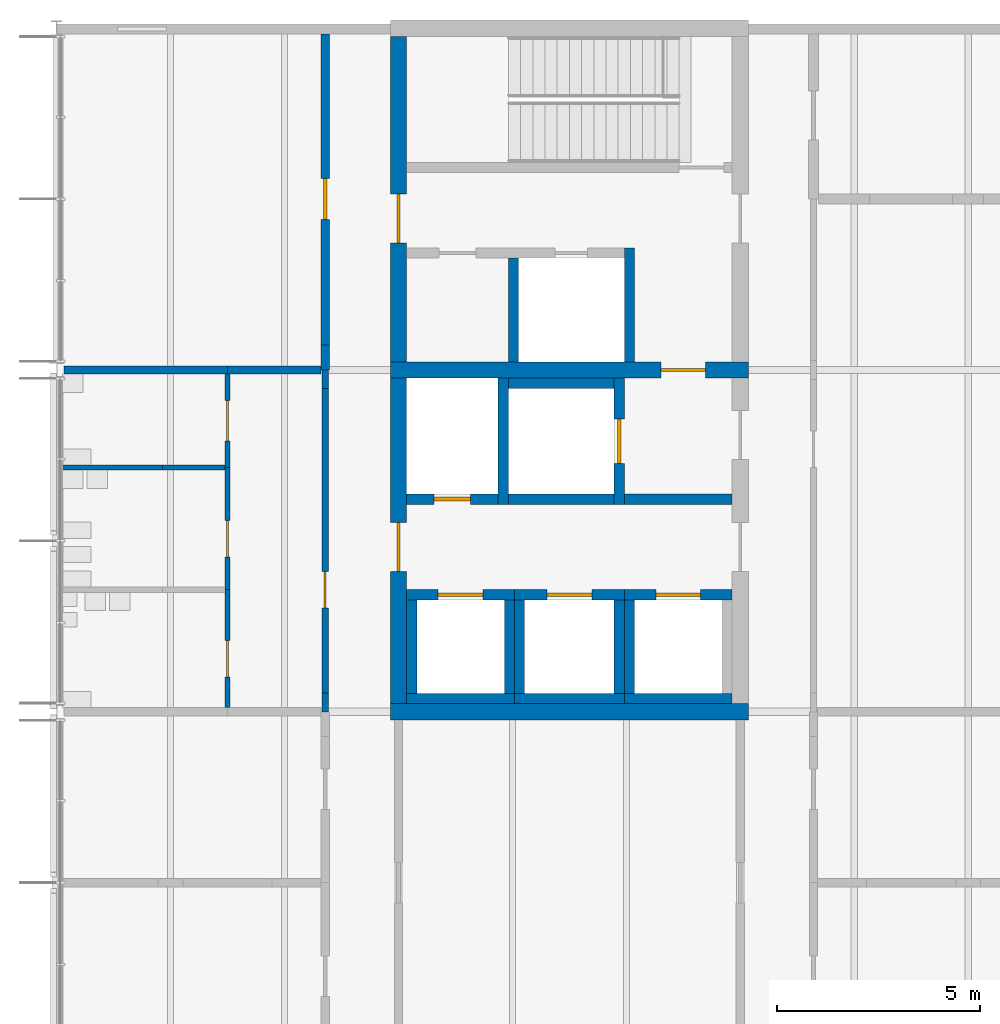
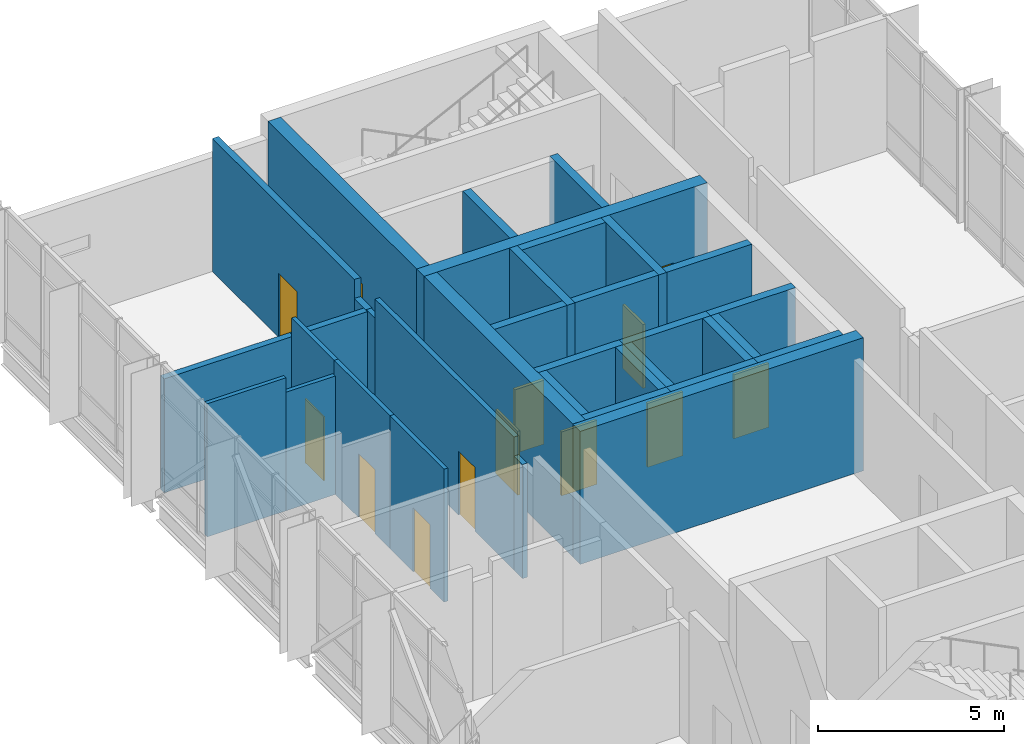
# One storey, part 9 of 15: 35 walls, 13 doors, 13 openings.
"""IFC4 building model written with IfcOpenShell, lengths in metres."""

from ifc_helpers import new_model, si_unit, direction, frame, frame_2d, origin, place, context, subcontext, project, spatial, rectangle, extrude, material, layer, layer_set, type_object, element, fill, save


model = new_model("IFC4")

# Units and contexts
model_context = context("Model", 3, precision=1e-05, world=origin(), true_north=direction((0.0, 1.0)))
body_context = subcontext(model_context, "Body", "Model", "MODEL_VIEW")
ifc_project = project(units=[si_unit("LENGTHUNIT", "METRE"), si_unit("AREAUNIT", "SQUARE_METRE"), si_unit("VOLUMEUNIT", "CUBIC_METRE"), si_unit("PLANEANGLEUNIT", "RADIAN"), si_unit("MASSUNIT", "GRAM", prefix="KILO")], contexts=[model_context])

# Site, building, storey
site_placement = place(None, origin())
site = spatial("IfcSite", under=ifc_project, at=site_placement, CompositionType="ELEMENT")
building_placement = place(site_placement, origin())
building = spatial("IfcBuilding", under=site, at=building_placement, Name="Hlaing Beacon Police Headquarters", CompositionType="ELEMENT")
storey_placement = place(building_placement, frame((0.0, 0.0, 32.39990234375)))
storey = spatial("IfcBuildingStorey", under=building, at=storey_placement, Name="L07", CompositionType="ELEMENT", Elevation=32.39990234375)

# Wall
ifc_material_1 = material(Name="Concrete C60/75", Category="concrete")
ifc_layer_1 = layer(ifc_material_1, 0.39990234375)
ifc_layer_set_1 = layer_set([ifc_layer_1], Name="Concrete C60/75")
wall_type_1 = type_object("IfcWallType", Name="Core shear wall 400", PredefinedType="SHEAR", material=ifc_layer_set_1)
wall_1_placement = place(storey_placement, frame((109.0, 50.39990234375, 0.0), z_axis=(0.0, 0.0, 1.0), x_axis=(1.0, 0.0, 0.0)))
element("IfcWall", 1, at=wall_1_placement, inside=storey, type_object=wall_type_1, Name="Core shear wall", PredefinedType="SHEAR", context=body_context, shape_type="SweptSolid", body=[
    extrude(rectangle(XDim=8.800048828125, YDim=0.39990234375, at=frame_2d((4.39990234375, 0.0))), origin(), (0.0, 0.0, 1.0), 4.3701171875),
])

# Wall, opening, door
wall_2_placement = place(storey_placement, frame((109.0, 58.800048828125, 0.0), z_axis=(0.0, 0.0, 1.0), x_axis=(1.0, 0.0, 0.0)))
wall_2 = element("IfcWall", 2, at=wall_2_placement, inside=storey, type_object=wall_type_1, Name="Core shear wall", PredefinedType="SHEAR", context=body_context, shape_type="SweptSolid", body=[
    extrude(rectangle(XDim=8.800048828125, YDim=0.39990234375, at=frame_2d((4.39990234375, 0.0))), origin(), (0.0, 0.0, 1.0), 4.3701171875),
])
opening_1_placement = place(wall_2_placement, frame((6.64990234375, 0.0, 0.0)))
opening_1 = element("IfcOpeningElement", 3, at=opening_1_placement, cuts=wall_2, Name="Opening L07-904", PredefinedType="OPENING", context=body_context, shape_type="SweptSolid", body=[
    extrude(rectangle(XDim=1.10009765625, YDim=2.10009765625, at=frame_2d((0.550048828125, 1.050048828125))), frame((0.0, 0.2099609375, 0.0), z_axis=(0.0, -1.0, 0.0), x_axis=(1.0, 0.0, 0.0)), (0.0, 0.0, 1.0), 0.419921875),
])
ifc_material_2 = material(Name="Steel fire door leaf", Category="steel")
ifc_layer_2 = layer(ifc_material_2, 0.070068359375)
ifc_layer_set_2 = layer_set([ifc_layer_2], Name="Steel fire door leaf")
door_type_1 = type_object("IfcDoorType", Name="Steel fire door FD60S 1100x2100", OperationType="SINGLE_SWING_LEFT", PredefinedType="DOOR", material=ifc_layer_set_2)
door_1_placement = place(opening_1_placement, origin())
door_1 = element("IfcDoor", 4, at=door_1_placement, inside=storey, type_object=door_type_1, Name="Door Firefighting Lobby Stair", OperationType="SINGLE_SWING_LEFT", OverallHeight=2.10009765625, OverallWidth=1.10009765625, PredefinedType="DOOR", context=body_context, shape_type="SweptSolid", body=[
    extrude(rectangle(XDim=1.10009765625, YDim=2.10009765625, at=frame_2d((0.550048828125, 1.050048828125))), frame((0.0, 0.03515625, 0.0), z_axis=(0.0, -1.0, 0.0), x_axis=(1.0, 0.0, 0.0)), (0.0, 0.0, 1.0), 0.070068359375),
])
fill(opening_1, door_1)

wall_3_placement = place(storey_placement, frame((109.199951171875, 50.60009765625, 0.0), z_axis=(0.0, 0.0, 1.0), x_axis=(0.0, 1.0, 0.0)))
wall_3 = element("IfcWall", 5, at=wall_3_placement, inside=storey, type_object=wall_type_1, Name="Core shear wall", PredefinedType="SHEAR", context=body_context, shape_type="SweptSolid", body=[
    extrude(rectangle(XDim=8.0, YDim=0.39990234375, at=frame_2d((4.0, 0.0))), origin(), (0.0, 0.0, 1.0), 4.3701171875),
])
opening_2_placement = place(wall_3_placement, frame((3.25, 0.0, 0.0)))
opening_2 = element("IfcOpeningElement", 6, at=opening_2_placement, cuts=wall_3, Name="Opening L07-901", PredefinedType="OPENING", context=body_context, shape_type="SweptSolid", body=[
    extrude(rectangle(XDim=1.199951171875, YDim=2.10009765625, at=frame_2d((0.60009765625, 1.050048828125))), frame((0.0, 0.2099609375, 0.0), z_axis=(0.0, -1.0, 0.0), x_axis=(1.0, 0.0, 0.0)), (0.0, 0.0, 1.0), 0.419921875),
])
ifc_material_3 = material(Name="Steel fire door leaf", Category="steel")
ifc_layer_3 = layer(ifc_material_3, 0.070068359375)
ifc_layer_set_3 = layer_set([ifc_layer_3], Name="Steel fire door leaf")
door_type_2 = type_object("IfcDoorType", Name="Steel fire door FD60S 1200x2100", OperationType="SINGLE_SWING_LEFT", PredefinedType="DOOR", material=ifc_layer_set_3)
door_2_placement = place(opening_2_placement, frame((1.199951171875, 0.0, 0.0), z_axis=(0.0, 0.0, 1.0), x_axis=(-1.0, 0.0, 0.0)))
door_2 = element("IfcDoor", 7, at=door_2_placement, inside=storey, type_object=door_type_2, Name="Door Lift Lobby Entry", OperationType="SINGLE_SWING_LEFT", OverallHeight=2.10009765625, OverallWidth=1.199951171875, PredefinedType="DOOR", context=body_context, shape_type="SweptSolid", body=[
    extrude(rectangle(XDim=1.199951171875, YDim=2.10009765625, at=frame_2d((0.599853515625, 1.050048828125))), frame((0.0, 0.034912109375, 0.0), z_axis=(0.0, -1.0, 0.0), x_axis=(1.0, 0.0, 0.0)), (0.0, 0.0, 1.0), 0.070068359375),
])
fill(opening_2, door_2)

wall_4_placement = place(storey_placement, frame((109.199951171875, 59.0, 0.0), z_axis=(0.0, 0.0, 1.0), x_axis=(0.0, 1.0, 0.0)))
wall_4 = element("IfcWall", 8, at=wall_4_placement, inside=storey, type_object=wall_type_1, Name="Core shear wall", PredefinedType="SHEAR", context=body_context, shape_type="SweptSolid", body=[
    extrude(rectangle(XDim=8.0, YDim=0.39990234375, at=frame_2d((4.0, 0.0))), origin(), (0.0, 0.0, 1.0), 4.3701171875),
])
opening_3_placement = place(wall_4_placement, frame((2.925048828125, 0.0, 0.0)))
opening_3 = element("IfcOpeningElement", 9, at=opening_3_placement, cuts=wall_4, Name="Opening L07-907", PredefinedType="OPENING", context=body_context, shape_type="SweptSolid", body=[
    extrude(rectangle(XDim=1.199951171875, YDim=2.10009765625, at=frame_2d((0.60009765625, 1.050048828125))), frame((0.0, 0.2099609375, 0.0), z_axis=(0.0, -1.0, 0.0), x_axis=(1.0, 0.0, 0.0)), (0.0, 0.0, 1.0), 0.419921875),
])
door_3_placement = place(opening_3_placement, frame((1.199951171875, 0.0, 0.0), z_axis=(0.0, 0.0, 1.0), x_axis=(-1.0, 0.0, 0.0)))
door_3 = element("IfcDoor", 10, at=door_3_placement, inside=storey, type_object=door_type_2, Name="Door Stair Lobby ST-M Entry", OperationType="SINGLE_SWING_LEFT", OverallHeight=2.10009765625, OverallWidth=1.199951171875, PredefinedType="DOOR", context=body_context, shape_type="SweptSolid", body=[
    extrude(rectangle(XDim=1.199951171875, YDim=2.10009765625, at=frame_2d((0.599853515625, 1.050048828125))), frame((0.0, 0.034912109375, 0.0), z_axis=(0.0, -1.0, 0.0), x_axis=(1.0, 0.0, 0.0)), (0.0, 0.0, 1.0), 0.070068359375),
])
fill(opening_3, door_3)

# Wall
ifc_material_4 = material(Name="Gypsum board partition")
ifc_layer_4 = layer(ifc_material_4, 0.14990234375)
ifc_layer_set_4 = layer_set([ifc_layer_4], Name="Gypsum board partition")
wall_type_2 = type_object("IfcWallType", Name="Corridor wall EI 30 150", PredefinedType="PARTITIONING", material=ifc_layer_set_4)
wall_5_placement = place(storey_placement, frame((107.39990234375, 50.39990234375, 0.0), z_axis=(0.0, 0.0, 1.0), x_axis=(0.0, 1.0, 0.0)))
element("IfcWall", 11, at=wall_5_placement, inside=storey, type_object=wall_type_2, Name="Corridor wall EI 30 150", PredefinedType="PARTITIONING", context=body_context, shape_type="SweptSolid", body=[
    extrude(rectangle(XDim=0.460205078125, YDim=0.14990234375, at=frame_2d((0.22998046875, 0.0))), origin(), (0.0, 0.0, 1.0), 3.74609375),
])

# Wall, opening, door
wall_6_placement = place(storey_placement, frame((107.39990234375, 50.860107421875, 0.0), z_axis=(0.0, 0.0, 1.0), x_axis=(0.0, 1.0, 0.0)))
wall_6 = element("IfcWall", 12, at=wall_6_placement, inside=storey, type_object=wall_type_2, Name="Corridor wall EI 30 150", PredefinedType="PARTITIONING", context=body_context, shape_type="SweptSolid", body=[
    extrude(rectangle(XDim=7.47998046875, YDim=0.14990234375, at=frame_2d((3.739990234375, 0.0))), origin(), (0.0, 0.0, 1.0), 4.3701171875),
])
opening_4_placement = place(wall_6_placement, frame((2.090087890625, 0.0, 0.0)))
opening_4 = element("IfcOpeningElement", 13, at=opening_4_placement, cuts=wall_6, Name="Opening L07-015", PredefinedType="OPENING", context=body_context, shape_type="SweptSolid", body=[
    extrude(rectangle(XDim=0.89990234375, YDim=2.10009765625, at=frame_2d((0.449951171875, 1.050048828125))), frame((0.0, 0.0849609375, 0.0), z_axis=(0.0, -1.0, 0.0), x_axis=(1.0, 0.0, 0.0)), (0.0, 0.0, 1.0), 0.169921875),
])
ifc_material_5 = material(Name="Hardwood door leaf", Category="wood")
ifc_layer_5 = layer(ifc_material_5, 0.050048828125)
ifc_layer_set_5 = layer_set([ifc_layer_5], Name="Hardwood door leaf")
door_type_3 = type_object("IfcDoorType", Name="Fire door FD30S 900x2100", OperationType="SINGLE_SWING_LEFT", PredefinedType="DOOR", material=ifc_layer_set_5)
door_4_placement = place(opening_4_placement, origin())
door_4 = element("IfcDoor", 14, at=door_4_placement, inside=storey, type_object=door_type_3, Name="Door WC Lobby", OperationType="SINGLE_SWING_LEFT", OverallHeight=2.10009765625, OverallWidth=0.89990234375, PredefinedType="DOOR", context=body_context, shape_type="SweptSolid", body=[
    extrude(rectangle(XDim=0.89990234375, YDim=2.10009765625, at=frame_2d((0.449951171875, 1.050048828125))), frame((0.0, 0.02490234375, 0.0), z_axis=(0.0, -1.0, 0.0), x_axis=(1.0, 0.0, 0.0)), (0.0, 0.0, 1.0), 0.050048828125),
])
fill(opening_4, door_4)

# Walls
wall_7_placement = place(storey_placement, frame((107.39990234375, 58.340087890625, 0.0), z_axis=(0.0, 0.0, 1.0), x_axis=(0.0, 1.0, 0.0)))
element("IfcWall", 15, at=wall_7_placement, inside=storey, type_object=wall_type_2, Name="Corridor wall EI 30 150", PredefinedType="PARTITIONING", context=body_context, shape_type="SweptSolid", body=[
    extrude(rectangle(XDim=0.4599609375, YDim=0.14990234375, at=frame_2d((0.22998046875, 0.0))), origin(), (0.0, 0.0, 1.0), 3.74609375),
])
ifc_material_6 = material(Name="Concrete blockwork 7.5 N/mm2", Category="masonry")
ifc_layer_6 = layer(ifc_material_6, 0.199951171875)
ifc_layer_set_6 = layer_set([ifc_layer_6], Name="Concrete blockwork 7.5 N/mm2")
wall_type_3 = type_object("IfcWallType", Name="Custody wall EI 60 200", PredefinedType="PARTITIONING", material=ifc_layer_set_6)
wall_8_placement = place(storey_placement, frame((107.39990234375, 58.800048828125, 0.0), z_axis=(0.0, 0.0, 1.0), x_axis=(0.0, 1.0, 0.0)))
element("IfcWall", 16, at=wall_8_placement, inside=storey, type_object=wall_type_3, Name="Custody wall EI 60 200", PredefinedType="PARTITIONING", context=body_context, shape_type="SweptSolid", body=[
    extrude(rectangle(XDim=0.60986328125, YDim=0.199951171875, at=frame_2d((0.304931640625, 0.0))), origin(), (0.0, 0.0, 1.0), 3.74609375),
])

# Wall, opening, door
wall_9_placement = place(storey_placement, frame((107.39990234375, 59.409912109375, 0.0), z_axis=(0.0, 0.0, 1.0), x_axis=(0.0, 1.0, 0.0)))
wall_9 = element("IfcWall", 17, at=wall_9_placement, inside=storey, type_object=wall_type_3, Name="Custody wall EI 60 200", PredefinedType="PARTITIONING", context=body_context, shape_type="SweptSolid", body=[
    extrude(rectangle(XDim=7.64013671875, YDim=0.199951171875, at=frame_2d((3.820068359375, 0.0))), origin(), (0.0, 0.0, 1.0), 4.3701171875),
])
opening_5_placement = place(wall_9_placement, frame((3.090087890625, 0.0, 0.0)))
opening_5 = element("IfcOpeningElement", 18, at=opening_5_placement, cuts=wall_9, Name="Opening L07-017", PredefinedType="OPENING", context=body_context, shape_type="SweptSolid", body=[
    extrude(rectangle(XDim=1.0, YDim=2.10009765625, at=frame_2d((0.5, 1.050048828125))), frame((0.0, 0.10986328125, 0.0), z_axis=(0.0, -1.0, 0.0), x_axis=(1.0, 0.0, 0.0)), (0.0, 0.0, 1.0), 0.219970703125),
])
ifc_material_7 = material(Name="Steel security door leaf", Category="steel")
ifc_layer_7 = layer(ifc_material_7, 0.090087890625)
ifc_layer_set_7 = layer_set([ifc_layer_7], Name="Steel security door leaf")
door_type_4 = type_object("IfcDoorType", Name="Steel security door FD60 1000x2100", OperationType="SINGLE_SWING_LEFT", PredefinedType="DOOR", material=ifc_layer_set_7)
door_5_placement = place(opening_5_placement, origin())
door_5 = element("IfcDoor", 19, at=door_5_placement, inside=storey, type_object=door_type_4, Name="Door Victim Interview Suite", OperationType="SINGLE_SWING_LEFT", OverallHeight=2.10009765625, OverallWidth=1.0, PredefinedType="DOOR", context=body_context, shape_type="SweptSolid", body=[
    extrude(rectangle(XDim=1.0, YDim=2.10009765625, at=frame_2d((0.5, 1.050048828125))), frame((0.0, 0.044921875, 0.0), z_axis=(0.0, -1.0, 0.0), x_axis=(1.0, 0.0, 0.0)), (0.0, 0.0, 1.0), 0.090087890625),
])
fill(opening_5, door_5)

# Walls
wall_10_placement = place(storey_placement, frame((100.986083984375, 58.800048828125, 0.0), z_axis=(0.0, 0.0, 1.0), x_axis=(1.0, 0.0, 0.0)))
element("IfcWall", 20, at=wall_10_placement, inside=storey, type_object=wall_type_3, Name="Custody wall EI 60 200", PredefinedType="PARTITIONING", context=body_context, shape_type="SweptSolid", body=[
    extrude(rectangle(XDim=4.013916015625, YDim=0.199951171875, at=frame_2d((2.0068359375, 0.0))), origin(), (0.0, 0.0, 1.0), 3.74609375),
])
wall_11_placement = place(storey_placement, frame((105.0, 58.800048828125, 0.0), z_axis=(0.0, 0.0, 1.0), x_axis=(1.0, 0.0, 0.0)))
element("IfcWall", 21, at=wall_11_placement, inside=storey, type_object=wall_type_3, Name="Custody wall EI 60 200", PredefinedType="PARTITIONING", context=body_context, shape_type="SweptSolid", body=[
    extrude(rectangle(XDim=2.300048828125, YDim=0.199951171875, at=frame_2d((1.14990234375, 0.0))), origin(), (0.0, 0.0, 1.0), 3.74609375),
])
ifc_material_8 = material(Name="Gypsum board partition")
ifc_layer_8 = layer(ifc_material_8, 0.125)
ifc_layer_set_8 = layer_set([ifc_layer_8], Name="Gypsum board partition")
wall_type_4 = type_object("IfcWallType", Name="Partition 125", PredefinedType="PARTITIONING", material=ifc_layer_set_8)
wall_12_placement = place(storey_placement, frame((100.949951171875, 56.39990234375, 0.0), z_axis=(0.0, 0.0, 1.0), x_axis=(1.0, 0.0, 0.0)))
element("IfcWall", 22, at=wall_12_placement, inside=storey, type_object=wall_type_4, Name="Partition 125", PredefinedType="PARTITIONING", context=body_context, shape_type="SweptSolid", body=[
    extrude(rectangle(XDim=2.45703125, YDim=0.125, at=frame_2d((1.228515625, 0.0))), origin(), (0.0, 0.0, 1.0), 4.3701171875),
])
wall_13_placement = place(storey_placement, frame((103.406982421875, 56.39990234375, 0.0), z_axis=(0.0, 0.0, 1.0), x_axis=(1.0, 0.0, 0.0)))
element("IfcWall", 23, at=wall_13_placement, inside=storey, type_object=wall_type_4, Name="Partition 125", PredefinedType="PARTITIONING", context=body_context, shape_type="SweptSolid", body=[
    extrude(rectangle(XDim=1.531005859375, YDim=0.125, at=frame_2d((0.765625, 0.0))), origin(), (0.0, 0.0, 1.0), 3.89501953125),
])

# Wall, opening, door
wall_14_placement = place(storey_placement, frame((105.0, 56.39990234375, 0.0), z_axis=(0.0, 0.0, 1.0), x_axis=(0.0, 1.0, 0.0)))
wall_14 = element("IfcWall", 24, at=wall_14_placement, inside=storey, type_object=wall_type_4, Name="Partition 125", PredefinedType="PARTITIONING", context=body_context, shape_type="SweptSolid", body=[
    extrude(rectangle(XDim=2.300048828125, YDim=0.125, at=frame_2d((1.14990234375, 0.0))), origin(), (0.0, 0.0, 1.0), 4.3701171875),
])
opening_6_placement = place(wall_14_placement, frame((0.64990234375, 0.0, 0.0)))
opening_6 = element("IfcOpeningElement", 25, at=opening_6_placement, cuts=wall_14, Name="Opening L07-013", PredefinedType="OPENING", context=body_context, shape_type="SweptSolid", body=[
    extrude(rectangle(XDim=1.0, YDim=2.10009765625, at=frame_2d((0.5, 1.050048828125))), frame((0.0, 0.072509765625, 0.0), z_axis=(0.0, -1.0, 0.0), x_axis=(1.0, 0.0, 0.0)), (0.0, 0.0, 1.0), 0.14501953125),
])
ifc_material_9 = material(Name="Hardwood door leaf", Category="wood")
ifc_layer_9 = layer(ifc_material_9, 0.0400390625)
ifc_layer_set_9 = layer_set([ifc_layer_9], Name="Hardwood door leaf")
door_type_5 = type_object("IfcDoorType", Name="Door 1000x2100", OperationType="SINGLE_SWING_LEFT", PredefinedType="DOOR", material=ifc_layer_set_9)
door_6_placement = place(opening_6_placement, origin())
door_6 = element("IfcDoor", 26, at=door_6_placement, inside=storey, type_object=door_type_5, Name="Door Accessible WC", OperationType="SINGLE_SWING_LEFT", OverallHeight=2.10009765625, OverallWidth=1.0, PredefinedType="DOOR", context=body_context, shape_type="SweptSolid", body=[
    extrude(rectangle(XDim=1.0, YDim=2.10009765625, at=frame_2d((0.5, 1.050048828125))), frame((0.0, 0.02001953125, 0.0), z_axis=(0.0, -1.0, 0.0), x_axis=(1.0, 0.0, 0.0)), (0.0, 0.0, 1.0), 0.0400390625),
])
fill(opening_6, door_6)

wall_15_placement = place(storey_placement, frame((105.0, 53.39990234375, 0.0), z_axis=(0.0, 0.0, 1.0), x_axis=(0.0, 1.0, 0.0)))
wall_15 = element("IfcWall", 27, at=wall_15_placement, inside=storey, type_object=wall_type_4, Name="Partition 125", PredefinedType="PARTITIONING", context=body_context, shape_type="SweptSolid", body=[
    extrude(rectangle(XDim=3.0, YDim=0.125, at=frame_2d((1.5, 0.0))), origin(), (0.0, 0.0, 1.0), 4.3701171875),
])
opening_7_placement = place(wall_15_placement, frame((0.800048828125, 0.0, 0.0)))
opening_7 = element("IfcOpeningElement", 28, at=opening_7_placement, cuts=wall_15, Name="Opening L07-014", PredefinedType="OPENING", context=body_context, shape_type="SweptSolid", body=[
    extrude(rectangle(XDim=0.89990234375, YDim=2.10009765625, at=frame_2d((0.449951171875, 1.050048828125))), frame((0.0, 0.072509765625, 0.0), z_axis=(0.0, -1.0, 0.0), x_axis=(1.0, 0.0, 0.0)), (0.0, 0.0, 1.0), 0.14501953125),
])
ifc_material_10 = material(Name="Hardwood door leaf", Category="wood")
ifc_layer_10 = layer(ifc_material_10, 0.0400390625)
ifc_layer_set_10 = layer_set([ifc_layer_10], Name="Hardwood door leaf")
door_type_6 = type_object("IfcDoorType", Name="Door 900x2100", OperationType="SINGLE_SWING_LEFT", PredefinedType="DOOR", material=ifc_layer_set_10)
door_7_placement = place(opening_7_placement, origin())
door_7 = element("IfcDoor", 29, at=door_7_placement, inside=storey, type_object=door_type_6, Name="Door Female WC", OperationType="SINGLE_SWING_RIGHT", OverallHeight=2.10009765625, OverallWidth=0.89990234375, PredefinedType="DOOR", context=body_context, shape_type="SweptSolid", body=[
    extrude(rectangle(XDim=0.89990234375, YDim=2.10009765625, at=frame_2d((0.449951171875, 1.050048828125))), frame((0.0, 0.02001953125, 0.0), z_axis=(0.0, -1.0, 0.0), x_axis=(1.0, 0.0, 0.0)), (0.0, 0.0, 1.0), 0.0400390625),
])
fill(opening_7, door_7)

wall_16_placement = place(storey_placement, frame((105.0, 50.5, 0.0), z_axis=(0.0, 0.0, 1.0), x_axis=(0.0, 1.0, 0.0)))
wall_16 = element("IfcWall", 30, at=wall_16_placement, inside=storey, type_object=wall_type_4, Name="Partition 125", PredefinedType="PARTITIONING", context=body_context, shape_type="SweptSolid", body=[
    extrude(rectangle(XDim=2.89990234375, YDim=0.125, at=frame_2d((1.449951171875, 0.0))), origin(), (0.0, 0.0, 1.0), 4.3701171875),
])
opening_8_placement = place(wall_16_placement, frame((0.75, 0.0, 0.0)))
opening_8 = element("IfcOpeningElement", 31, at=opening_8_placement, cuts=wall_16, Name="Opening L07-016", PredefinedType="OPENING", context=body_context, shape_type="SweptSolid", body=[
    extrude(rectangle(XDim=0.89990234375, YDim=2.10009765625, at=frame_2d((0.449951171875, 1.050048828125))), frame((0.0, 0.072509765625, 0.0), z_axis=(0.0, -1.0, 0.0), x_axis=(1.0, 0.0, 0.0)), (0.0, 0.0, 1.0), 0.14501953125),
])
door_8_placement = place(opening_8_placement, origin())
door_8 = element("IfcDoor", 32, at=door_8_placement, inside=storey, type_object=door_type_6, Name="Door Male WC", OperationType="SINGLE_SWING_RIGHT", OverallHeight=2.10009765625, OverallWidth=0.89990234375, PredefinedType="DOOR", context=body_context, shape_type="SweptSolid", body=[
    extrude(rectangle(XDim=0.89990234375, YDim=2.10009765625, at=frame_2d((0.449951171875, 1.050048828125))), frame((0.0, 0.02001953125, 0.0), z_axis=(0.0, -1.0, 0.0), x_axis=(1.0, 0.0, 0.0)), (0.0, 0.0, 1.0), 0.0400390625),
])
fill(opening_8, door_8)

ifc_material_11 = material(Name="Concrete C40/50", Category="concrete")
ifc_layer_11 = layer(ifc_material_11, 0.25)
ifc_layer_set_11 = layer_set([ifc_layer_11], Name="Concrete C40/50")
wall_type_5 = type_object("IfcWallType", Name="Shaft wall 250", PredefinedType="SOLIDWALL", material=ifc_layer_set_11)
wall_17_placement = place(storey_placement, frame((109.39990234375, 55.625, 0.0), z_axis=(0.0, 0.0, 1.0), x_axis=(1.0, 0.0, 0.0)))
wall_17 = element("IfcWall", 33, at=wall_17_placement, inside=storey, type_object=wall_type_5, Name="Lobby wall", PredefinedType="SOLIDWALL", context=body_context, shape_type="SweptSolid", body=[
    extrude(rectangle(XDim=2.25, YDim=0.25, at=frame_2d((1.125, 0.0))), origin(), (0.0, 0.0, 1.0), 4.3701171875),
])
opening_9_placement = place(wall_17_placement, frame((0.675048828125, 0.0, 0.0)))
opening_9 = element("IfcOpeningElement", 34, at=opening_9_placement, cuts=wall_17, Name="Opening L07-905", PredefinedType="OPENING", context=body_context, shape_type="SweptSolid", body=[
    extrude(rectangle(XDim=0.89990234375, YDim=2.10009765625, at=frame_2d((0.449951171875, 1.050048828125))), frame((0.0, 0.135009765625, 0.0), z_axis=(0.0, -1.0, 0.0), x_axis=(1.0, 0.0, 0.0)), (0.0, 0.0, 1.0), 0.27001953125),
])
ifc_material_12 = material(Name="Steel fire door leaf", Category="steel")
ifc_layer_12 = layer(ifc_material_12, 0.10009765625)
ifc_layer_set_12 = layer_set([ifc_layer_12], Name="Steel fire door leaf")
door_type_7 = type_object("IfcDoorType", Name="Steel fire door FD120 900x2100", OperationType="SINGLE_SWING_LEFT", PredefinedType="DOOR", material=ifc_layer_set_12)
door_9_placement = place(opening_9_placement, origin())
door_9 = element("IfcDoor", 35, at=door_9_placement, inside=storey, type_object=door_type_7, Name="Door Electrical Riser Room", OperationType="SINGLE_SWING_LEFT", OverallHeight=2.10009765625, OverallWidth=0.89990234375, PredefinedType="DOOR", context=body_context, shape_type="SweptSolid", body=[
    extrude(rectangle(XDim=0.89990234375, YDim=2.10009765625, at=frame_2d((0.449951171875, 1.050048828125))), frame((0.0, 0.050048828125, 0.0), z_axis=(0.0, -1.0, 0.0), x_axis=(1.0, 0.0, 0.0)), (0.0, 0.0, 1.0), 0.10009765625),
])
fill(opening_9, door_9)

# Walls
wall_18_placement = place(storey_placement, frame((114.75, 55.625, 0.0), z_axis=(0.0, 0.0, 1.0), x_axis=(1.0, 0.0, 0.0)))
element("IfcWall", 36, at=wall_18_placement, inside=storey, type_object=wall_type_5, Name="Firefighting lobby wall", PredefinedType="SOLIDWALL", context=body_context, shape_type="SweptSolid", body=[
    extrude(rectangle(XDim=2.64990234375, YDim=0.25, at=frame_2d((1.324951171875, 0.0))), origin(), (0.0, 0.0, 1.0), 4.3701171875),
])
wall_19_placement = place(storey_placement, frame((114.875, 61.800048828125, 0.0), z_axis=(0.0, 0.0, 1.0), x_axis=(0.0, -1.0, 0.0)))
element("IfcWall", 37, at=wall_19_placement, inside=storey, type_object=wall_type_5, Name="Lobby wall", PredefinedType="SOLIDWALL", context=body_context, shape_type="SweptSolid", body=[
    extrude(rectangle(XDim=2.800048828125, YDim=0.25, at=frame_2d((1.39990234375, 0.0))), origin(), (0.0, 0.0, 1.0), 4.3701171875),
])
wall_20_placement = place(storey_placement, frame((112.02490234375, 61.550048828125, 0.0), z_axis=(0.0, 0.0, 1.0), x_axis=(0.0, -1.0, 0.0)))
element("IfcWall", 38, at=wall_20_placement, inside=storey, type_object=wall_type_5, Name="Riser wall", PredefinedType="SOLIDWALL", context=body_context, shape_type="SweptSolid", body=[
    extrude(rectangle(XDim=2.550048828125, YDim=0.25, at=frame_2d((1.27490234375, 0.0))), origin(), (0.0, 0.0, 1.0), 4.3701171875),
])

# Wall, opening, door
wall_21_placement = place(storey_placement, frame((114.625, 55.5, 0.0), z_axis=(0.0, 0.0, 1.0), x_axis=(0.0, 1.0, 0.0)))
wall_21 = element("IfcWall", 39, at=wall_21_placement, inside=storey, type_object=wall_type_5, Name="Lift shaft wall FL1", PredefinedType="SOLIDWALL", context=body_context, shape_type="SweptSolid", body=[
    extrude(rectangle(XDim=3.10009765625, YDim=0.25, at=frame_2d((1.550048828125, 0.0))), origin(), (0.0, 0.0, 1.0), 4.3701171875),
])
opening_10_placement = place(wall_21_placement, frame((1.0, 0.0, 0.0)))
opening_10 = element("IfcOpeningElement", 40, at=opening_10_placement, cuts=wall_21, Name="Opening LD-FL1-L07", PredefinedType="OPENING", context=body_context, shape_type="SweptSolid", body=[
    extrude(rectangle(XDim=1.10009765625, YDim=2.10009765625, at=frame_2d((0.550048828125, 1.050048828125))), frame((0.0, 0.135009765625, 0.0), z_axis=(0.0, -1.0, 0.0), x_axis=(1.0, 0.0, 0.0)), (0.0, 0.0, 1.0), 0.27001953125),
])
ifc_material_13 = material(Name="Stainless steel lift landing door", Category="steel")
ifc_layer_13 = layer(ifc_material_13, 0.06005859375)
ifc_layer_set_13 = layer_set([ifc_layer_13], Name="Stainless steel lift landing door")
door_type_8 = type_object("IfcDoorType", Name="Lift landing door 1100x2100", OperationType="DOUBLE_DOOR_SLIDING", PredefinedType="DOOR", material=ifc_layer_set_13)
door_10_placement = place(opening_10_placement, origin())
door_10 = element("IfcDoor", 41, at=door_10_placement, inside=storey, type_object=door_type_8, Name="Landing door FL1 L07", OperationType="DOUBLE_DOOR_SLIDING", OverallHeight=2.10009765625, OverallWidth=1.10009765625, PredefinedType="DOOR", context=body_context, shape_type="SweptSolid", body=[
    extrude(rectangle(XDim=1.10009765625, YDim=2.10009765625, at=frame_2d((0.550048828125, 1.050048828125))), frame((0.0, 0.0400390625, 0.0), z_axis=(0.0, -1.0, 0.0), x_axis=(1.0, 0.0, 0.0)), (0.0, 0.0, 1.0), 0.080078125),
])
fill(opening_10, door_10)

# Walls
for number, where, z_axis, x_axis, name in (
    (42, (111.89990234375, 58.47509765625, 0.0), (0.0, 0.0, 1.0), (1.0, 0.0, 0.0), "Lift shaft wall FL1"),
    (43, (111.89990234375, 55.625, 0.0), (0.0, 0.0, 1.0), (1.0, 0.0, 0.0), "Lift shaft wall FL1"),
):
    element("IfcWall", number, at=place(storey_placement, frame(where, z_axis=z_axis, x_axis=x_axis)), inside=storey, type_object=wall_type_5, Name=name, PredefinedType="SOLIDWALL", context=body_context, shape_type="SweptSolid", body=[
        extrude(rectangle(XDim=2.60009765625, YDim=0.25, at=frame_2d((1.300048828125, 0.0))), origin(), (0.0, 0.0, 1.0), 4.3701171875),
    ])
wall_22_placement = place(storey_placement, frame((111.77490234375, 55.5, 0.0), z_axis=(0.0, 0.0, 1.0), x_axis=(0.0, 1.0, 0.0)))
element("IfcWall", 44, at=wall_22_placement, inside=storey, type_object=wall_type_5, Name="Lift shaft wall FL1", PredefinedType="SOLIDWALL", context=body_context, shape_type="SweptSolid", body=[
    extrude(rectangle(XDim=3.10009765625, YDim=0.25, at=frame_2d((1.550048828125, 0.0))), origin(), (0.0, 0.0, 1.0), 4.3701171875),
])
wall_23_placement = place(storey_placement, frame((111.925048828125, 50.85009765625, 0.0), z_axis=(0.0, 0.0, 1.0), x_axis=(0.0, 1.0, 0.0)))
element("IfcWall", 45, at=wall_23_placement, inside=storey, type_object=wall_type_5, Name="Lift shaft wall PL7", PredefinedType="SOLIDWALL", context=body_context, shape_type="SweptSolid", body=[
    extrude(rectangle(XDim=2.2998046875, YDim=0.25, at=frame_2d((1.14990234375, 0.0))), origin(), (0.0, 0.0, 1.0), 4.3701171875),
])

# Wall, opening, door
wall_24_placement = place(storey_placement, frame((109.39990234375, 53.27490234375, 0.0), z_axis=(0.0, 0.0, 1.0), x_axis=(1.0, 0.0, 0.0)))
wall_24 = element("IfcWall", 46, at=wall_24_placement, inside=storey, type_object=wall_type_5, Name="Lift shaft wall PL7", PredefinedType="SOLIDWALL", context=body_context, shape_type="SweptSolid", body=[
    extrude(rectangle(XDim=2.650146484375, YDim=0.25, at=frame_2d((1.3251953125, 0.0))), origin(), (0.0, 0.0, 1.0), 4.3701171875),
])
opening_11_placement = place(wall_24_placement, frame((0.77490234375, 0.0, 0.0)))
opening_11 = element("IfcOpeningElement", 47, at=opening_11_placement, cuts=wall_24, Name="Opening LD-PL7-L07", PredefinedType="OPENING", context=body_context, shape_type="SweptSolid", body=[
    extrude(rectangle(XDim=1.10009765625, YDim=2.10009765625, at=frame_2d((0.550048828125, 1.050048828125))), frame((0.0, 0.135009765625, 0.0), z_axis=(0.0, -1.0, 0.0), x_axis=(1.0, 0.0, 0.0)), (0.0, 0.0, 1.0), 0.27001953125),
])
door_11_placement = place(opening_11_placement, origin())
door_11 = element("IfcDoor", 48, at=door_11_placement, inside=storey, type_object=door_type_8, Name="Landing door PL7 L07", OperationType="DOUBLE_DOOR_SLIDING", OverallHeight=2.10009765625, OverallWidth=1.10009765625, PredefinedType="DOOR", context=body_context, shape_type="SweptSolid", body=[
    extrude(rectangle(XDim=1.10009765625, YDim=2.10009765625, at=frame_2d((0.550048828125, 1.050048828125))), frame((0.0, 0.0400390625, 0.0), z_axis=(0.0, -1.0, 0.0), x_axis=(1.0, 0.0, 0.0)), (0.0, 0.0, 1.0), 0.080078125),
])
fill(opening_11, door_11)

# Walls
wall_25_placement = place(storey_placement, frame((109.39990234375, 50.72509765625, 0.0), z_axis=(0.0, 0.0, 1.0), x_axis=(1.0, 0.0, 0.0)))
element("IfcWall", 49, at=wall_25_placement, inside=storey, type_object=wall_type_5, Name="Lift shaft wall PL7", PredefinedType="SOLIDWALL", context=body_context, shape_type="SweptSolid", body=[
    extrude(rectangle(XDim=2.650146484375, YDim=0.25, at=frame_2d((1.3251953125, 0.0))), origin(), (0.0, 0.0, 1.0), 4.3701171875),
])
for number, where, z_axis, x_axis, name in (
    (50, (109.52490234375, 50.85009765625, 0.0), (0.0, 0.0, 1.0), (0.0, 1.0, 0.0), "Lift shaft wall PL7"),
    (51, (114.625, 50.85009765625, 0.0), (0.0, 0.0, 1.0), (0.0, 1.0, 0.0), "Lift shaft wall PL8"),
):
    element("IfcWall", number, at=place(storey_placement, frame(where, z_axis=z_axis, x_axis=x_axis)), inside=storey, type_object=wall_type_5, Name=name, PredefinedType="SOLIDWALL", context=body_context, shape_type="SweptSolid", body=[
        extrude(rectangle(XDim=2.2998046875, YDim=0.25, at=frame_2d((1.14990234375, 0.0))), origin(), (0.0, 0.0, 1.0), 4.3701171875),
    ])

# Wall, opening, door
wall_26_placement = place(storey_placement, frame((112.050048828125, 53.27490234375, 0.0), z_axis=(0.0, 0.0, 1.0), x_axis=(1.0, 0.0, 0.0)))
wall_26 = element("IfcWall", 52, at=wall_26_placement, inside=storey, type_object=wall_type_5, Name="Lift shaft wall PL8", PredefinedType="SOLIDWALL", context=body_context, shape_type="SweptSolid", body=[
    extrude(rectangle(XDim=2.699951171875, YDim=0.25, at=frame_2d((1.35009765625, 0.0))), origin(), (0.0, 0.0, 1.0), 4.3701171875),
])
opening_12_placement = place(wall_26_placement, frame((0.800048828125, 0.0, 0.0)))
opening_12 = element("IfcOpeningElement", 53, at=opening_12_placement, cuts=wall_26, Name="Opening LD-PL8-L07", PredefinedType="OPENING", context=body_context, shape_type="SweptSolid", body=[
    extrude(rectangle(XDim=1.10009765625, YDim=2.10009765625, at=frame_2d((0.550048828125, 1.050048828125))), frame((0.0, 0.135009765625, 0.0), z_axis=(0.0, -1.0, 0.0), x_axis=(1.0, 0.0, 0.0)), (0.0, 0.0, 1.0), 0.27001953125),
])
door_12_placement = place(opening_12_placement, origin())
door_12 = element("IfcDoor", 54, at=door_12_placement, inside=storey, type_object=door_type_8, Name="Landing door PL8 L07", OperationType="DOUBLE_DOOR_SLIDING", OverallHeight=2.10009765625, OverallWidth=1.10009765625, PredefinedType="DOOR", context=body_context, shape_type="SweptSolid", body=[
    extrude(rectangle(XDim=1.10009765625, YDim=2.10009765625, at=frame_2d((0.550048828125, 1.050048828125))), frame((0.0, 0.0400390625, 0.0), z_axis=(0.0, -1.0, 0.0), x_axis=(1.0, 0.0, 0.0)), (0.0, 0.0, 1.0), 0.080078125),
])
fill(opening_12, door_12)

# Walls
wall_27_placement = place(storey_placement, frame((112.050048828125, 50.72509765625, 0.0), z_axis=(0.0, 0.0, 1.0), x_axis=(1.0, 0.0, 0.0)))
element("IfcWall", 55, at=wall_27_placement, inside=storey, type_object=wall_type_5, Name="Lift shaft wall PL8", PredefinedType="SOLIDWALL", context=body_context, shape_type="SweptSolid", body=[
    extrude(rectangle(XDim=2.699951171875, YDim=0.25, at=frame_2d((1.35009765625, 0.0))), origin(), (0.0, 0.0, 1.0), 4.3701171875),
])
wall_28_placement = place(storey_placement, frame((112.175048828125, 50.85009765625, 0.0), z_axis=(0.0, 0.0, 1.0), x_axis=(0.0, 1.0, 0.0)))
element("IfcWall", 56, at=wall_28_placement, inside=storey, type_object=wall_type_5, Name="Lift shaft wall PL8", PredefinedType="SOLIDWALL", context=body_context, shape_type="SweptSolid", body=[
    extrude(rectangle(XDim=2.2998046875, YDim=0.25, at=frame_2d((1.14990234375, 0.0))), origin(), (0.0, 0.0, 1.0), 4.3701171875),
])

# Wall, opening, door
wall_29_placement = place(storey_placement, frame((114.75, 53.27490234375, 0.0), z_axis=(0.0, 0.0, 1.0), x_axis=(1.0, 0.0, 0.0)))
wall_29 = element("IfcWall", 57, at=wall_29_placement, inside=storey, type_object=wall_type_5, Name="Lift shaft wall PL9", PredefinedType="SOLIDWALL", context=body_context, shape_type="SweptSolid", body=[
    extrude(rectangle(XDim=2.64990234375, YDim=0.25, at=frame_2d((1.324951171875, 0.0))), origin(), (0.0, 0.0, 1.0), 4.3701171875),
])
opening_13_placement = place(wall_29_placement, frame((0.77490234375, 0.0, 0.0)))
opening_13 = element("IfcOpeningElement", 58, at=opening_13_placement, cuts=wall_29, Name="Opening LD-PL9-L07", PredefinedType="OPENING", context=body_context, shape_type="SweptSolid", body=[
    extrude(rectangle(XDim=1.10009765625, YDim=2.10009765625, at=frame_2d((0.550048828125, 1.050048828125))), frame((0.0, 0.135009765625, 0.0), z_axis=(0.0, -1.0, 0.0), x_axis=(1.0, 0.0, 0.0)), (0.0, 0.0, 1.0), 0.27001953125),
])
door_13_placement = place(opening_13_placement, origin())
door_13 = element("IfcDoor", 59, at=door_13_placement, inside=storey, type_object=door_type_8, Name="Landing door PL9 L07", OperationType="DOUBLE_DOOR_SLIDING", OverallHeight=2.10009765625, OverallWidth=1.10009765625, PredefinedType="DOOR", context=body_context, shape_type="SweptSolid", body=[
    extrude(rectangle(XDim=1.10009765625, YDim=2.10009765625, at=frame_2d((0.550048828125, 1.050048828125))), frame((0.0, 0.0400390625, 0.0), z_axis=(0.0, -1.0, 0.0), x_axis=(1.0, 0.0, 0.0)), (0.0, 0.0, 1.0), 0.080078125),
])
fill(opening_13, door_13)

# Walls
wall_30_placement = place(storey_placement, frame((114.75, 50.72509765625, 0.0), z_axis=(0.0, 0.0, 1.0), x_axis=(1.0, 0.0, 0.0)))
element("IfcWall", 60, at=wall_30_placement, inside=storey, type_object=wall_type_5, Name="Lift shaft wall PL9", PredefinedType="SOLIDWALL", context=body_context, shape_type="SweptSolid", body=[
    extrude(rectangle(XDim=2.64990234375, YDim=0.25, at=frame_2d((1.324951171875, 0.0))), origin(), (0.0, 0.0, 1.0), 4.3701171875),
])
wall_31_placement = place(storey_placement, frame((114.875, 50.85009765625, 0.0), z_axis=(0.0, 0.0, 1.0), x_axis=(0.0, 1.0, 0.0)))
element("IfcWall", 61, at=wall_31_placement, inside=storey, type_object=wall_type_5, Name="Lift shaft wall PL9", PredefinedType="SOLIDWALL", context=body_context, shape_type="SweptSolid", body=[
    extrude(rectangle(XDim=2.2998046875, YDim=0.25, at=frame_2d((1.14990234375, 0.0))), origin(), (0.0, 0.0, 1.0), 4.3701171875),
])

save(model, "model.ifc")
